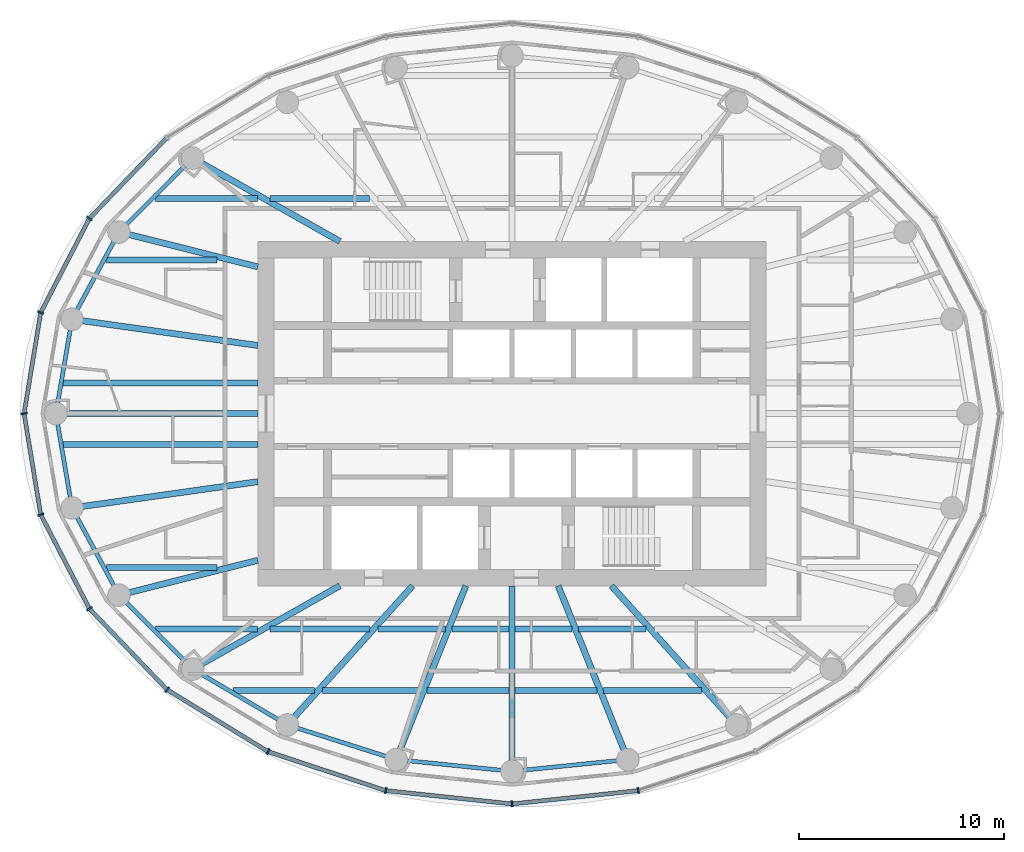
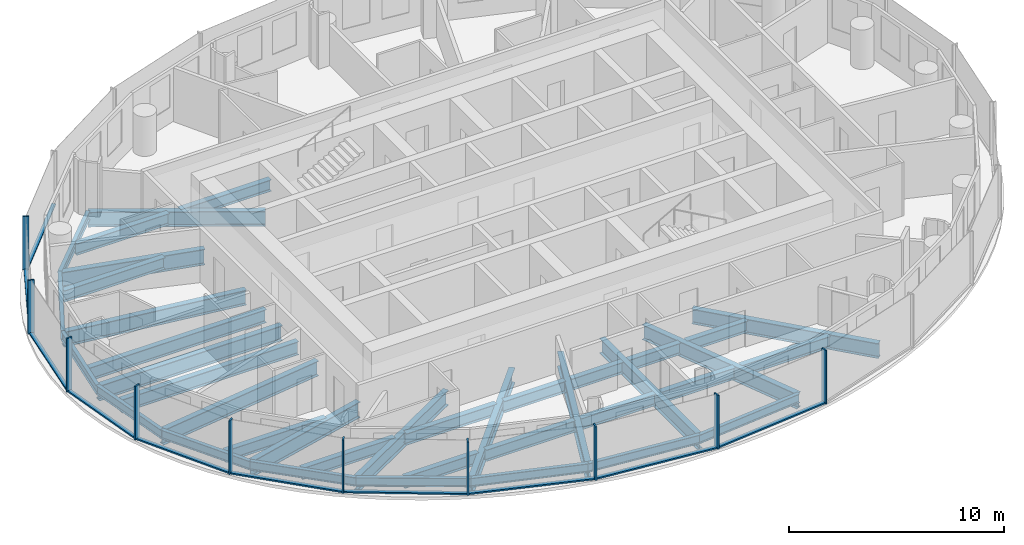
# One storey, part 2 of 14: 39 beams, 20 members, 3 elements without a shape of their own.
"""IFC4 building model written with IfcOpenShell, lengths in metres."""

from ifc_helpers import new_model, si_unit, direction, frame, origin, origin_2d, place, context, subcontext, project, spatial, rectangle, i_section, extrude, material, material_profile, profile_set, type_object, element, aggregate, save


model = new_model("IFC4")

# Units and contexts
model_context = context("Model", 3, precision=1e-05, world=origin(), true_north=direction((0.0, 1.0)))
body_context = subcontext(model_context, "Body", "Model", "MODEL_VIEW")
ifc_project = project(units=[si_unit("LENGTHUNIT", "METRE"), si_unit("AREAUNIT", "SQUARE_METRE"), si_unit("VOLUMEUNIT", "CUBIC_METRE"), si_unit("PLANEANGLEUNIT", "RADIAN"), si_unit("MASSUNIT", "GRAM", prefix="KILO")], contexts=[model_context])

# Site, building, storey
site_placement = place(None, origin())
site = spatial("IfcSite", under=ifc_project, at=site_placement, CompositionType="ELEMENT")
building_placement = place(site_placement, origin())
building = spatial("IfcBuilding", under=site, at=building_placement, Name="Hankou Lantern Tower", CompositionType="ELEMENT")
storey_placement = place(building_placement, frame((0.0, 0.0, 183.0)))
storey = spatial("IfcBuildingStorey", under=building, at=storey_placement, Name="L49", CompositionType="ELEMENT", Elevation=183.0)

# Beams
ifc_material_1 = material(Name="Steel Q355B", Category="steel")
ifc_material_profile_1 = material_profile(ifc_material_1, i_section(OverallWidth=0.199951171875, OverallDepth=0.5, WebThickness=0.010009765625, FlangeThickness=0.01611328125, FilletRadius=0.012939453125, at=origin_2d()), Name="HN500x200x10x16")
ifc_profile_set_1 = profile_set([ifc_material_profile_1], Name="Steel Q355B")
beam_type_1 = type_object("IfcBeamType", Name="EB5 RING BEAM HN500x200x10x16", PredefinedType="SPANDREL", material=ifc_profile_set_1)
beam_1_placement = place(storey_placement, frame((-15.576171875, 12.4609375, -0.429931640625), z_axis=(-0.706147278092, -0.708064984054, 0.0), x_axis=(0.708064984054, -0.706147278092, 0.0)))
element("IfcBeam", 1, at=beam_1_placement, inside=storey, type_object=beam_type_1, Name="Ring beam R10-R11 L49", PredefinedType="SPANDREL", context=body_context, shape_type="SweptSolid", body=[
    extrude(i_section(OverallWidth=0.199951171875, OverallDepth=0.5, WebThickness=0.010009765625, FlangeThickness=0.01611328125, FilletRadius=0.012939453125, at=origin_2d()), origin(), (0.0, 0.0, 1.0), 5.09228515625),
])
beam_2_placement = place(storey_placement, frame((-19.172119140625, 8.855224609375, -0.429931640625), z_axis=(-0.474051612334, -0.880497057828, 0.0), x_axis=(0.880497057828, -0.474051612334, 0.0)))
element("IfcBeam", 2, at=beam_2_placement, inside=storey, type_object=beam_type_1, Name="Ring beam R11-R12 L49", PredefinedType="SPANDREL", context=body_context, shape_type="SweptSolid", body=[
    extrude(i_section(OverallWidth=0.199951171875, OverallDepth=0.5, WebThickness=0.010009765625, FlangeThickness=0.01611328125, FilletRadius=0.012939453125, at=origin_2d()), origin(), (0.0, 0.0, 1.0), 4.831787109375),
])
for number, where, z_axis, x_axis, name in (
    (3, (-21.462646484375, 4.600830078125, -0.429931640625), (-0.168680718946, -0.985670743735, 0.0), (0.985670743735, -0.168680718946, 0.0), "Ring beam R12-R13 L49"),
    (4, (-22.25, 0.0, -0.429931640625), (0.168680718946, -0.985670743735, 0.0), (0.985670743735, 0.168680718946, 0.0), "Ring beam R13-R14 L49"),
):
    element("IfcBeam", number, at=place(storey_placement, frame(where, z_axis=z_axis, x_axis=x_axis)), inside=storey, type_object=beam_type_1, Name=name, PredefinedType="SPANDREL", context=body_context, shape_type="SweptSolid", body=[
        extrude(i_section(OverallWidth=0.199951171875, OverallDepth=0.5, WebThickness=0.010009765625, FlangeThickness=0.01611328125, FilletRadius=0.012939453125, at=origin_2d()), origin(), (0.0, 0.0, 1.0), 4.667724609375),
    ])
beam_3_placement = place(storey_placement, frame((-21.462646484375, -4.600830078125, -0.429931640625), z_axis=(0.474051612334, -0.880497057828, 0.0), x_axis=(0.880497057828, 0.474051612334, 0.0)))
element("IfcBeam", 5, at=beam_3_placement, inside=storey, type_object=beam_type_1, Name="Ring beam R14-R15 L49", PredefinedType="SPANDREL", context=body_context, shape_type="SweptSolid", body=[
    extrude(i_section(OverallWidth=0.199951171875, OverallDepth=0.5, WebThickness=0.010009765625, FlangeThickness=0.01611328125, FilletRadius=0.012939453125, at=origin_2d()), origin(), (0.0, 0.0, 1.0), 4.831787109375),
])
beam_4_placement = place(storey_placement, frame((-19.172119140625, -8.855224609375, -0.429931640625), z_axis=(0.706147278092, -0.708064984054, 0.0), x_axis=(0.708064984054, 0.706147278092, 0.0)))
element("IfcBeam", 6, at=beam_4_placement, inside=storey, type_object=beam_type_1, Name="Ring beam R15-R16 L49", PredefinedType="SPANDREL", context=body_context, shape_type="SweptSolid", body=[
    extrude(i_section(OverallWidth=0.199951171875, OverallDepth=0.5, WebThickness=0.010009765625, FlangeThickness=0.01611328125, FilletRadius=0.012939453125, at=origin_2d()), origin(), (0.0, 0.0, 1.0), 5.09228515625),
])
beam_5_placement = place(storey_placement, frame((-15.576171875, -12.4609375, -0.429931640625), z_axis=(0.861135888339, -0.508374843806, 0.0), x_axis=(0.508374843806, 0.861135888339, 0.0)))
element("IfcBeam", 7, at=beam_5_placement, inside=storey, type_object=beam_type_1, Name="Ring beam R16-R17 L49", PredefinedType="SPANDREL", context=body_context, shape_type="SweptSolid", body=[
    extrude(i_section(OverallWidth=0.199951171875, OverallDepth=0.5, WebThickness=0.010009765625, FlangeThickness=0.01611328125, FilletRadius=0.012939453125, at=origin_2d()), origin(), (0.0, 0.0, 1.0), 5.36083984375),
])
beam_6_placement = place(storey_placement, frame((-10.959716796875, -15.186279296875, -0.429931640625), z_axis=(0.952790404271, -0.30362879562, 0.0), x_axis=(0.30362879562, 0.952790404271, 0.0)))
element("IfcBeam", 8, at=beam_6_placement, inside=storey, type_object=beam_type_1, Name="Ring beam R17-R18 L49", PredefinedType="SPANDREL", context=body_context, shape_type="SweptSolid", body=[
    extrude(i_section(OverallWidth=0.199951171875, OverallDepth=0.5, WebThickness=0.010009765625, FlangeThickness=0.01611328125, FilletRadius=0.012939453125, at=origin_2d()), origin(), (0.0, 0.0, 1.0), 5.56982421875),
])
for number, where, z_axis, x_axis, name in (
    (9, (-5.65283203125, -16.87744140625, -0.429931640625), (0.9949104636, -0.100762936734, 0.0), (0.100762936734, 0.9949104636, 0.0), "Ring beam R18-R19 L49"),
    (10, (0.0, -17.449951171875, -0.429931640625), (0.9949104636, 0.100762936734, 0.0), (-0.100762936734, 0.9949104636, 0.0), "Ring beam R19-R20 L49"),
):
    element("IfcBeam", number, at=place(storey_placement, frame(where, z_axis=z_axis, x_axis=x_axis)), inside=storey, type_object=beam_type_1, Name=name, PredefinedType="SPANDREL", context=body_context, shape_type="SweptSolid", body=[
        extrude(i_section(OverallWidth=0.199951171875, OverallDepth=0.5, WebThickness=0.010009765625, FlangeThickness=0.01611328125, FilletRadius=0.012939453125, at=origin_2d()), origin(), (0.0, 0.0, 1.0), 5.681640625),
    ])

# Curtain wall, members
ifc_material_2 = material(Name="Glass, dark grey tinted laminated", Category="glass")
curtain_wall_type = type_object("IfcCurtainWallType", Name="CWC OUTER SKIN HIGH-RISE", PredefinedType="USERDEFINED", material=ifc_material_2)
curtain_wall_1_placement = place(storey_placement, origin())
curtain_wall_1 = element("IfcCurtainWall", 11, at=curtain_wall_1_placement, inside=storey, type_object=curtain_wall_type, Name="CWC L49 OS2", ObjectType="OUTER SKIN HIGH-RISE", PredefinedType="USERDEFINED")
ifc_material_3 = material(Name="Aluminium, black anodised", Category="aluminium")
ifc_material_profile_2 = material_profile(ifc_material_3, rectangle(XDim=0.080078125, YDim=0.300048828125, at=origin_2d()), Name="MU1 80X300")
ifc_profile_set_2 = profile_set([ifc_material_profile_2], Name="Aluminium, black anodised")
member_type_1 = type_object("IfcMemberType", Name="MU1 OUTER SKIN MULLION 80X300", PredefinedType="MULLION", material=ifc_profile_set_2)
member_1_placement = place(storey_placement, frame((-20.611328125, 9.52001953125, 0.0), z_axis=(0.0, 0.0, 1.0), x_axis=(-0.585205735974, -0.810884854084, 0.0)))
member_1 = element("IfcMember", 12, at=member_1_placement, type_object=member_type_1, Name="CWC mullion 5", PredefinedType="MULLION", context=body_context, shape_type="SweptSolid", body=[
    extrude(rectangle(XDim=0.080078125, YDim=0.300048828125, at=origin_2d()), origin(), (0.0, 0.0, 1.0), 3.050048828125),
])
member_2_placement = place(storey_placement, frame((-22.989013671875, 4.927978515625, 0.0), z_axis=(0.0, 0.0, 1.0), x_axis=(-0.317595577365, -0.94822626479, 0.0)))
member_2 = element("IfcMember", 13, at=member_2_placement, type_object=member_type_1, Name="CWC mullion 6", PredefinedType="MULLION", context=body_context, shape_type="SweptSolid", body=[
    extrude(rectangle(XDim=0.080078125, YDim=0.300048828125, at=origin_2d()), origin(), (0.0, 0.0, 1.0), 3.050048828125),
])

curtain_wall_2_placement = place(storey_placement, origin())
curtain_wall_2 = element("IfcCurtainWall", 14, at=curtain_wall_2_placement, inside=storey, type_object=curtain_wall_type, Name="CWC L49 OS3", ObjectType="OUTER SKIN HIGH-RISE", PredefinedType="USERDEFINED")
member_3_placement = place(storey_placement, frame((-23.800048828125, 0.0, 0.0), z_axis=(0.0, 0.0, 1.0), x_axis=(0.162381515188, -0.986728049427, 0.0)))
member_3 = element("IfcMember", 15, at=member_3_placement, type_object=member_type_1, Name="CWC mullion 1", PredefinedType="MULLION", context=body_context, shape_type="SweptSolid", body=[
    extrude(rectangle(XDim=0.080078125, YDim=0.300048828125, at=origin_2d()), origin(), (0.0, 0.0, 1.0), 3.050048828125),
])
member_4_placement = place(storey_placement, frame((-22.989013671875, -4.927978515625, 0.0), z_axis=(0.0, 0.0, 1.0), x_axis=(0.317595577365, -0.94822626479, 0.0)))
member_4 = element("IfcMember", 16, at=member_4_placement, type_object=member_type_1, Name="CWC mullion 2", PredefinedType="MULLION", context=body_context, shape_type="SweptSolid", body=[
    extrude(rectangle(XDim=0.080078125, YDim=0.300048828125, at=origin_2d()), origin(), (0.0, 0.0, 1.0), 3.050048828125),
])
member_5_placement = place(storey_placement, frame((-20.611328125, -9.52001953125, 0.0), z_axis=(0.0, 0.0, 1.0), x_axis=(0.585205735974, -0.810884854084, 0.0)))
member_5 = element("IfcMember", 17, at=member_5_placement, type_object=member_type_1, Name="CWC mullion 3", PredefinedType="MULLION", context=body_context, shape_type="SweptSolid", body=[
    extrude(rectangle(XDim=0.080078125, YDim=0.300048828125, at=origin_2d()), origin(), (0.0, 0.0, 1.0), 3.050048828125),
])
member_6_placement = place(storey_placement, frame((-16.8291015625, -13.46337890625, 0.0), z_axis=(0.0, 0.0, 1.0), x_axis=(0.780868809444, -0.624695047553, 0.0)))
member_6 = element("IfcMember", 18, at=member_6_placement, type_object=member_type_1, Name="CWC mullion 4", PredefinedType="MULLION", context=body_context, shape_type="SweptSolid", body=[
    extrude(rectangle(XDim=0.080078125, YDim=0.300048828125, at=origin_2d()), origin(), (0.0, 0.0, 1.0), 3.050048828125),
])
member_7_placement = place(storey_placement, frame((-11.89990234375, -16.489013671875, 0.0), z_axis=(0.0, 0.0, 1.0), x_axis=(0.907841299004, -0.419313934686, 0.0)))
member_7 = element("IfcMember", 19, at=member_7_placement, type_object=member_type_1, Name="CWC mullion 5", PredefinedType="MULLION", context=body_context, shape_type="SweptSolid", body=[
    extrude(rectangle(XDim=0.080078125, YDim=0.300048828125, at=origin_2d()), origin(), (0.0, 0.0, 1.0), 3.050048828125),
])
member_8_placement = place(storey_placement, frame((-6.159912109375, -18.39111328125, 0.0), z_axis=(0.0, 0.0, 1.0), x_axis=(0.977787659625, -0.209597931016, 0.0)))
member_8 = element("IfcMember", 20, at=member_8_placement, type_object=member_type_1, Name="CWC mullion 6", PredefinedType="MULLION", context=body_context, shape_type="SweptSolid", body=[
    extrude(rectangle(XDim=0.080078125, YDim=0.300048828125, at=origin_2d()), origin(), (0.0, 0.0, 1.0), 3.050048828125),
])

curtain_wall_3_placement = place(storey_placement, origin())
curtain_wall_3 = element("IfcCurtainWall", 21, at=curtain_wall_3_placement, inside=storey, type_object=curtain_wall_type, Name="CWC L49 OS4", ObjectType="OUTER SKIN HIGH-RISE", PredefinedType="USERDEFINED")
member_9_placement = place(storey_placement, frame((0.0, -19.0400390625, 0.0), z_axis=(0.0, 0.0, 1.0), x_axis=(0.994499359107, 0.104742659579, 0.0)))
member_9 = element("IfcMember", 22, at=member_9_placement, type_object=member_type_1, Name="CWC mullion 1", PredefinedType="MULLION", context=body_context, shape_type="SweptSolid", body=[
    extrude(rectangle(XDim=0.080078125, YDim=0.300048828125, at=origin_2d()), origin(), (0.0, 0.0, 1.0), 3.050048828125),
])
member_10_placement = place(storey_placement, frame((6.159912109375, -18.39111328125, 0.0), z_axis=(0.0, 0.0, 1.0), x_axis=(0.977787659625, 0.209597931016, 0.0)))
member_10 = element("IfcMember", 23, at=member_10_placement, type_object=member_type_1, Name="CWC mullion 2", PredefinedType="MULLION", context=body_context, shape_type="SweptSolid", body=[
    extrude(rectangle(XDim=0.080078125, YDim=0.300048828125, at=origin_2d()), origin(), (0.0, 0.0, 1.0), 3.050048828125),
])

# Beams
ifc_material_4 = material(Name="Steel Q355B", Category="steel")
ifc_material_profile_3 = material_profile(ifc_material_4, i_section(OverallWidth=0.300048828125, OverallDepth=0.85009765625, WebThickness=0.01611328125, FlangeThickness=0.027099609375, FilletRadius=0.01806640625, at=origin_2d()), Name="HN850x300x16x27")
ifc_profile_set_3 = profile_set([ifc_material_profile_3], Name="Steel Q355B")
beam_type_2 = type_object("IfcBeamType", Name="RB12 RADIAL BEAM HN850x300x16x27", PredefinedType="BEAM", material=ifc_profile_set_3)
beam_7_placement = place(storey_placement, frame((-8.39990234375, 8.39990234375, -0.60498046875), z_axis=(-0.870309058024, 0.492505983234, 0.0), x_axis=(-0.492505983234, -0.870309058024, 0.0)))
element("IfcBeam", 24, at=beam_7_placement, inside=storey, type_object=beam_type_2, Name="Radial beam R10 L49", PredefinedType="BEAM", context=body_context, shape_type="SweptSolid", body=[
    extrude(i_section(OverallWidth=0.300048828125, OverallDepth=0.85009765625, WebThickness=0.01611328125, FlangeThickness=0.027099609375, FilletRadius=0.01806640625, at=origin_2d()), origin(), (0.0, 0.0, 1.0), 8.24560546875),
])
beam_8_placement = place(storey_placement, frame((-12.39990234375, 3.322509765625, -0.60498046875), z_axis=(-0.990198154617, 0.13966966239, 0.0), x_axis=(-0.13966966239, -0.990198154617, 0.0)))
element("IfcBeam", 25, at=beam_8_placement, inside=storey, type_object=beam_type_2, Name="Radial beam R12 L49", PredefinedType="BEAM", context=body_context, shape_type="SweptSolid", body=[
    extrude(i_section(OverallWidth=0.300048828125, OverallDepth=0.85009765625, WebThickness=0.01611328125, FlangeThickness=0.027099609375, FilletRadius=0.01806640625, at=origin_2d()), origin(), (0.0, 0.0, 1.0), 9.15234375),
])
beam_9_placement = place(storey_placement, frame((-12.39990234375, 0.0, -0.60498046875), z_axis=(-1.0, 0.0, 0.0), x_axis=(0.0, -1.0, 0.0)))
element("IfcBeam", 26, at=beam_9_placement, inside=storey, type_object=beam_type_2, Name="Radial beam R13 L49", PredefinedType="BEAM", context=body_context, shape_type="SweptSolid", body=[
    extrude(i_section(OverallWidth=0.300048828125, OverallDepth=0.85009765625, WebThickness=0.01611328125, FlangeThickness=0.027099609375, FilletRadius=0.01806640625, at=origin_2d()), origin(), (0.0, 0.0, 1.0), 9.85009765625),
])
beam_10_placement = place(storey_placement, frame((-12.39990234375, -3.322509765625, -0.60498046875), z_axis=(-0.990198154617, -0.13966966239, 0.0), x_axis=(0.13966966239, -0.990198154617, 0.0)))
element("IfcBeam", 27, at=beam_10_placement, inside=storey, type_object=beam_type_2, Name="Radial beam R14 L49", PredefinedType="BEAM", context=body_context, shape_type="SweptSolid", body=[
    extrude(i_section(OverallWidth=0.300048828125, OverallDepth=0.85009765625, WebThickness=0.01611328125, FlangeThickness=0.027099609375, FilletRadius=0.01806640625, at=origin_2d()), origin(), (0.0, 0.0, 1.0), 9.15234375),
])
beam_11_placement = place(storey_placement, frame((-8.39990234375, -8.39990234375, -0.60498046875), z_axis=(-0.870309058024, -0.492505983234, 0.0), x_axis=(0.492505983234, -0.870309058024, 0.0)))
element("IfcBeam", 28, at=beam_11_placement, inside=storey, type_object=beam_type_2, Name="Radial beam R16 L49", PredefinedType="BEAM", context=body_context, shape_type="SweptSolid", body=[
    extrude(i_section(OverallWidth=0.300048828125, OverallDepth=0.85009765625, WebThickness=0.01611328125, FlangeThickness=0.027099609375, FilletRadius=0.01806640625, at=origin_2d()), origin(), (0.0, 0.0, 1.0), 8.24560546875),
])
beam_12_placement = place(storey_placement, frame((-4.849853515625, -8.39990234375, -0.60498046875), z_axis=(-0.669093231314, -0.743178476418, 0.0), x_axis=(0.743178476418, -0.669093231314, 0.0)))
element("IfcBeam", 29, at=beam_12_placement, inside=storey, type_object=beam_type_2, Name="Radial beam R17 L49", PredefinedType="BEAM", context=body_context, shape_type="SweptSolid", body=[
    extrude(i_section(OverallWidth=0.300048828125, OverallDepth=0.85009765625, WebThickness=0.01611328125, FlangeThickness=0.027099609375, FilletRadius=0.01806640625, at=origin_2d()), origin(), (0.0, 0.0, 1.0), 9.131591796875),
])
beam_13_placement = place(storey_placement, frame((-2.250732421875, -8.39990234375, -0.60498046875), z_axis=(-0.372436468133, -0.928057690666, 0.0), x_axis=(0.928057690666, -0.372436468133, 0.0)))
element("IfcBeam", 30, at=beam_13_placement, inside=storey, type_object=beam_type_2, Name="Radial beam R18 L49", PredefinedType="BEAM", context=body_context, shape_type="SweptSolid", body=[
    extrude(i_section(OverallWidth=0.300048828125, OverallDepth=0.85009765625, WebThickness=0.01611328125, FlangeThickness=0.027099609375, FilletRadius=0.01806640625, at=origin_2d()), origin(), (0.0, 0.0, 1.0), 9.134765625),
])
beam_14_placement = place(storey_placement, frame((0.0, -8.39990234375, -0.60498046875), z_axis=(0.0, -1.0, 0.0), x_axis=(1.0, 0.0, 0.0)))
element("IfcBeam", 31, at=beam_14_placement, inside=storey, type_object=beam_type_2, Name="Radial beam R19 L49", PredefinedType="BEAM", context=body_context, shape_type="SweptSolid", body=[
    extrude(i_section(OverallWidth=0.300048828125, OverallDepth=0.85009765625, WebThickness=0.01611328125, FlangeThickness=0.027099609375, FilletRadius=0.01806640625, at=origin_2d()), origin(), (0.0, 0.0, 1.0), 9.050048828125),
])
beam_15_placement = place(storey_placement, frame((2.250732421875, -8.39990234375, -0.60498046875), z_axis=(0.372436468133, -0.928057690666, 0.0), x_axis=(0.928057690666, 0.372436468133, 0.0)))
element("IfcBeam", 32, at=beam_15_placement, inside=storey, type_object=beam_type_2, Name="Radial beam R20 L49", PredefinedType="BEAM", context=body_context, shape_type="SweptSolid", body=[
    extrude(i_section(OverallWidth=0.300048828125, OverallDepth=0.85009765625, WebThickness=0.01611328125, FlangeThickness=0.027099609375, FilletRadius=0.01806640625, at=origin_2d()), origin(), (0.0, 0.0, 1.0), 9.134765625),
])
beam_16_placement = place(storey_placement, frame((4.849853515625, -8.39990234375, -0.60498046875), z_axis=(0.669093231314, -0.743178476418, 0.0), x_axis=(0.743178476418, 0.669093231314, 0.0)))
element("IfcBeam", 33, at=beam_16_placement, inside=storey, type_object=beam_type_2, Name="Radial beam R21 L49", PredefinedType="BEAM", context=body_context, shape_type="SweptSolid", body=[
    extrude(i_section(OverallWidth=0.300048828125, OverallDepth=0.85009765625, WebThickness=0.01611328125, FlangeThickness=0.027099609375, FilletRadius=0.01806640625, at=origin_2d()), origin(), (0.0, 0.0, 1.0), 9.131591796875),
])
ifc_material_5 = material(Name="Steel Q355B", Category="steel")
ifc_material_profile_4 = material_profile(ifc_material_5, i_section(OverallWidth=0.300048828125, OverallDepth=0.89990234375, WebThickness=0.01611328125, FlangeThickness=0.028076171875, FilletRadius=0.01806640625, at=origin_2d()), Name="HN900x300x16x28")
ifc_profile_set_4 = profile_set([ifc_material_profile_4], Name="Steel Q355B")
beam_type_3 = type_object("IfcBeamType", Name="RB13 RADIAL BEAM HN900x300x16x28", PredefinedType="BEAM", material=ifc_profile_set_4)
for number, where, z_axis, x_axis, name in (
    (34, (-12.39990234375, 7.1591796875, -0.6298828125), (-0.970041619568, 0.242938791274, 0.0), (-0.242938791274, -0.970041619568, 0.0), "Radial beam R11 L49"),
    (35, (-12.39990234375, -7.1591796875, -0.6298828125), (-0.970041619568, -0.242938791274, 0.0), (0.242938791274, -0.970041619568, 0.0), "Radial beam R15 L49"),
):
    element("IfcBeam", number, at=place(storey_placement, frame(where, z_axis=z_axis, x_axis=x_axis)), inside=storey, type_object=beam_type_3, Name=name, PredefinedType="BEAM", context=body_context, shape_type="SweptSolid", body=[
        extrude(i_section(OverallWidth=0.300048828125, OverallDepth=0.89990234375, WebThickness=0.01611328125, FlangeThickness=0.028076171875, FilletRadius=0.01806640625, at=origin_2d()), origin(), (0.0, 0.0, 1.0), 6.9814453125),
    ])
ifc_material_6 = material(Name="Steel Q355B", Category="steel")
ifc_material_profile_5 = material_profile(ifc_material_6, i_section(OverallWidth=0.300048828125, OverallDepth=0.75, WebThickness=0.012939453125, FlangeThickness=0.02392578125, FilletRadius=0.01806640625, at=origin_2d()), Name="HN750x300x13x24")
ifc_profile_set_5 = profile_set([ifc_material_profile_5], Name="Steel Q355B")
beam_type_4 = type_object("IfcBeamType", Name="SB10 SECONDARY BEAM HN750x300x13x24", PredefinedType="JOIST", material=ifc_profile_set_5)
for number, where, z_axis, x_axis, name in (
    (36, (-21.891845703125, -1.5, -0.554931640625), (1.0, 0.0, 0.0), (0.0, 1.0, 0.0), "Floor joist J019 L49"),
    (37, (-21.891845703125, 1.5, -0.554931640625), (1.0, 0.0, 0.0), (0.0, 1.0, 0.0), "Floor joist J021 L49"),
):
    element("IfcBeam", number, at=place(storey_placement, frame(where, z_axis=z_axis, x_axis=x_axis)), inside=storey, type_object=beam_type_4, Name=name, PredefinedType="JOIST", context=body_context, shape_type="SweptSolid", body=[
        extrude(i_section(OverallWidth=0.300048828125, OverallDepth=0.75, WebThickness=0.012939453125, FlangeThickness=0.02392578125, FilletRadius=0.01806640625, at=origin_2d()), origin(), (0.0, 0.0, 1.0), 9.491943359375),
    ])
ifc_material_7 = material(Name="Steel Q355B", Category="steel")
ifc_material_profile_6 = material_profile(ifc_material_7, i_section(OverallWidth=0.300048828125, OverallDepth=0.64990234375, WebThickness=0.010986328125, FlangeThickness=0.01708984375, FilletRadius=0.01806640625, at=origin_2d()), Name="HN650x300x11x17")
ifc_profile_set_6 = profile_set([ifc_material_profile_6], Name="Steel Q355B")
beam_type_5 = type_object("IfcBeamType", Name="SB8 SECONDARY BEAM HN650x300x11x17", PredefinedType="JOIST", material=ifc_profile_set_6)
beam_17_placement = place(storey_placement, frame((-13.619384765625, -13.5, -0.5048828125), z_axis=(1.0, 0.0, 0.0), x_axis=(0.0, 1.0, 0.0)))
element("IfcBeam", 38, at=beam_17_placement, inside=storey, type_object=beam_type_5, Name="Floor joist J001 L49", PredefinedType="JOIST", context=body_context, shape_type="SweptSolid", body=[
    extrude(i_section(OverallWidth=0.300048828125, OverallDepth=0.64990234375, WebThickness=0.010986328125, FlangeThickness=0.01708984375, FilletRadius=0.01806640625, at=origin_2d()), origin(), (0.0, 0.0, 1.0), 3.97607421875),
])
beam_18_placement = place(storey_placement, frame((-9.23974609375, -13.5, -0.5048828125), z_axis=(1.0, 0.0, 0.0), x_axis=(0.0, 1.0, 0.0)))
element("IfcBeam", 39, at=beam_18_placement, inside=storey, type_object=beam_type_5, Name="Floor joist J002 L49", PredefinedType="JOIST", context=body_context, shape_type="SweptSolid", body=[
    extrude(i_section(OverallWidth=0.300048828125, OverallDepth=0.64990234375, WebThickness=0.010986328125, FlangeThickness=0.01708984375, FilletRadius=0.01806640625, at=origin_2d()), origin(), (0.0, 0.0, 1.0), 4.780517578125),
])
for number, where, z_axis, x_axis, name in (
    (40, (-4.135986328125, -13.5, -0.5048828125), (1.0, 0.0, 0.0), (0.0, 1.0, 0.0), "Floor joist J003 L49"),
    (41, (0.14990234375, -13.5, -0.5048828125), (1.0, 0.0, 0.0), (0.0, 1.0, 0.0), "Floor joist J004 L49"),
):
    element("IfcBeam", number, at=place(storey_placement, frame(where, z_axis=z_axis, x_axis=x_axis)), inside=storey, type_object=beam_type_5, Name=name, PredefinedType="JOIST", context=body_context, shape_type="SweptSolid", body=[
        extrude(i_section(OverallWidth=0.300048828125, OverallDepth=0.64990234375, WebThickness=0.010986328125, FlangeThickness=0.01708984375, FilletRadius=0.01806640625, at=origin_2d()), origin(), (0.0, 0.0, 1.0), 3.986083984375),
    ])
beam_19_placement = place(storey_placement, frame((4.459228515625, -13.5, -0.5048828125), z_axis=(1.0, 0.0, 0.0), x_axis=(0.0, 1.0, 0.0)))
element("IfcBeam", 42, at=beam_19_placement, inside=storey, type_object=beam_type_5, Name="Floor joist J005 L49", PredefinedType="JOIST", context=body_context, shape_type="SweptSolid", body=[
    extrude(i_section(OverallWidth=0.300048828125, OverallDepth=0.64990234375, WebThickness=0.010986328125, FlangeThickness=0.01708984375, FilletRadius=0.01806640625, at=origin_2d()), origin(), (0.0, 0.0, 1.0), 4.780517578125),
])
beam_20_placement = place(storey_placement, frame((-17.390625, -10.5, -0.5048828125), z_axis=(1.0, 0.0, 0.0), x_axis=(0.0, 1.0, 0.0)))
element("IfcBeam", 43, at=beam_20_placement, inside=storey, type_object=beam_type_5, Name="Floor joist J007 L49", PredefinedType="JOIST", context=body_context, shape_type="SweptSolid", body=[
    extrude(i_section(OverallWidth=0.300048828125, OverallDepth=0.64990234375, WebThickness=0.010986328125, FlangeThickness=0.01708984375, FilletRadius=0.01806640625, at=origin_2d()), origin(), (0.0, 0.0, 1.0), 4.97509765625),
])
beam_21_placement = place(storey_placement, frame((-11.806396484375, -10.5, -0.5048828125), z_axis=(1.0, 0.0, 0.0), x_axis=(0.0, 1.0, 0.0)))
element("IfcBeam", 44, at=beam_21_placement, inside=storey, type_object=beam_type_5, Name="Floor joist J008 L49", PredefinedType="JOIST", context=body_context, shape_type="SweptSolid", body=[
    extrude(i_section(OverallWidth=0.300048828125, OverallDepth=0.64990234375, WebThickness=0.010986328125, FlangeThickness=0.01708984375, FilletRadius=0.01806640625, at=origin_2d()), origin(), (0.0, 0.0, 1.0), 4.864013671875),
])
beam_22_placement = place(storey_placement, frame((-6.53857421875, -10.5, -0.5048828125), z_axis=(1.0, 0.0, 0.0), x_axis=(0.0, 1.0, 0.0)))
element("IfcBeam", 45, at=beam_22_placement, inside=storey, type_object=beam_type_5, Name="Floor joist J009 L49", PredefinedType="JOIST", context=body_context, shape_type="SweptSolid", body=[
    extrude(i_section(OverallWidth=0.300048828125, OverallDepth=0.64990234375, WebThickness=0.010986328125, FlangeThickness=0.01708984375, FilletRadius=0.01806640625, at=origin_2d()), origin(), (0.0, 0.0, 1.0), 3.283447265625),
])
for number, where, z_axis, x_axis, name in (
    (46, (-2.931884765625, -10.5, -0.5048828125), (1.0, 0.0, 0.0), (0.0, 1.0, 0.0), "Floor joist J010 L49"),
    (47, (0.14990234375, -10.5, -0.5048828125), (1.0, 0.0, 0.0), (0.0, 1.0, 0.0), "Floor joist J011 L49"),
):
    element("IfcBeam", number, at=place(storey_placement, frame(where, z_axis=z_axis, x_axis=x_axis)), inside=storey, type_object=beam_type_5, Name=name, PredefinedType="JOIST", context=body_context, shape_type="SweptSolid", body=[
        extrude(i_section(OverallWidth=0.300048828125, OverallDepth=0.64990234375, WebThickness=0.010986328125, FlangeThickness=0.01708984375, FilletRadius=0.01806640625, at=origin_2d()), origin(), (0.0, 0.0, 1.0), 2.781982421875),
    ])
beam_23_placement = place(storey_placement, frame((3.255126953125, -10.5, -0.5048828125), z_axis=(1.0, 0.0, 0.0), x_axis=(0.0, 1.0, 0.0)))
element("IfcBeam", 48, at=beam_23_placement, inside=storey, type_object=beam_type_5, Name="Floor joist J012 L49", PredefinedType="JOIST", context=body_context, shape_type="SweptSolid", body=[
    extrude(i_section(OverallWidth=0.300048828125, OverallDepth=0.64990234375, WebThickness=0.010986328125, FlangeThickness=0.01708984375, FilletRadius=0.01806640625, at=origin_2d()), origin(), (0.0, 0.0, 1.0), 3.283447265625),
])
for number, where, z_axis, x_axis, name in (
    (49, (-19.788330078125, -7.5, -0.5048828125), (1.0, 0.0, 0.0), (0.0, 1.0, 0.0), "Floor joist J015 L49"),
    (50, (-19.788330078125, 7.5, -0.5048828125), (1.0, 0.0, 0.0), (0.0, 1.0, 0.0), "Floor joist J025 L49"),
):
    element("IfcBeam", number, at=place(storey_placement, frame(where, z_axis=z_axis, x_axis=x_axis)), inside=storey, type_object=beam_type_5, Name=name, PredefinedType="JOIST", context=body_context, shape_type="SweptSolid", body=[
        extrude(i_section(OverallWidth=0.300048828125, OverallDepth=0.64990234375, WebThickness=0.010986328125, FlangeThickness=0.01708984375, FilletRadius=0.01806640625, at=origin_2d()), origin(), (0.0, 0.0, 1.0), 5.409912109375),
    ])
beam_24_placement = place(storey_placement, frame((-17.390625, 10.5, -0.5048828125), z_axis=(1.0, 0.0, 0.0), x_axis=(0.0, 1.0, 0.0)))
element("IfcBeam", 51, at=beam_24_placement, inside=storey, type_object=beam_type_5, Name="Floor joist J027 L49", PredefinedType="JOIST", context=body_context, shape_type="SweptSolid", body=[
    extrude(i_section(OverallWidth=0.300048828125, OverallDepth=0.64990234375, WebThickness=0.010986328125, FlangeThickness=0.01708984375, FilletRadius=0.01806640625, at=origin_2d()), origin(), (0.0, 0.0, 1.0), 4.97509765625),
])
beam_25_placement = place(storey_placement, frame((-11.806396484375, 10.5, -0.5048828125), z_axis=(1.0, 0.0, 0.0), x_axis=(0.0, 1.0, 0.0)))
element("IfcBeam", 52, at=beam_25_placement, inside=storey, type_object=beam_type_5, Name="Floor joist J028 L49", PredefinedType="JOIST", context=body_context, shape_type="SweptSolid", body=[
    extrude(i_section(OverallWidth=0.300048828125, OverallDepth=0.64990234375, WebThickness=0.010986328125, FlangeThickness=0.01708984375, FilletRadius=0.01806640625, at=origin_2d()), origin(), (0.0, 0.0, 1.0), 4.864013671875),
])

# Member
ifc_material_8 = material(Name="Aluminium, black anodised", Category="aluminium")
ifc_material_profile_7 = material_profile(ifc_material_8, rectangle(XDim=0.199951171875, YDim=0.080078125, at=origin_2d()), Name="TR1 200X80")
ifc_profile_set_7 = profile_set([ifc_material_profile_7], Name="Aluminium, black anodised")
member_type_2 = type_object("IfcMemberType", Name="TR1 OUTER SKIN TRANSOM 200X80", PredefinedType="USERDEFINED", material=ifc_profile_set_7)
member_11_placement = place(storey_placement, frame((-16.85693359375, 13.434326171875, 0.0400390625), z_axis=(-0.692215543831, -0.721690820836, 0.0), x_axis=(0.721690820836, -0.692215543831, 0.0)))
member_11 = element("IfcMember", 53, at=member_11_placement, type_object=member_type_2, Name="CWC transom 4", ObjectType="TRANSOM", PredefinedType="USERDEFINED", context=body_context, shape_type="SweptSolid", body=[
    extrude(rectangle(XDim=0.199951171875, YDim=0.080078125, at=origin_2d()), origin(), (0.0, 0.0, 1.0), 5.3837890625),
])

member_12_placement = place(storey_placement, frame((-20.6298828125, 9.484375, 0.0400390625), z_axis=(-0.459790772977, -0.888027277219, 0.0), x_axis=(0.888027277219, -0.459790772977, 0.0)))
member_12 = element("IfcMember", 54, at=member_12_placement, type_object=member_type_2, Name="CWC transom 5", ObjectType="TRANSOM", PredefinedType="USERDEFINED", context=body_context, shape_type="SweptSolid", body=[
    extrude(rectangle(XDim=0.199951171875, YDim=0.080078125, at=origin_2d()), origin(), (0.0, 0.0, 1.0), 5.091064453125),
])

member_13_placement = place(storey_placement, frame((-22.99560546875, 4.888427734375, 0.0400390625), z_axis=(-0.162360337061, -0.986731534385, 0.0), x_axis=(0.986731534385, -0.162360337061, 0.0)))
member_13 = element("IfcMember", 55, at=member_13_placement, type_object=member_type_2, Name="CWC transom 6", ObjectType="TRANSOM", PredefinedType="USERDEFINED", context=body_context, shape_type="SweptSolid", body=[
    extrude(rectangle(XDim=0.199951171875, YDim=0.080078125, at=origin_2d()), origin(), (0.0, 0.0, 1.0), 4.9140625),
])

aggregate(curtain_wall_1, [member_1, member_2, member_11, member_12, member_13])

member_14_placement = place(storey_placement, frame((-23.79345703125, -0.03955078125, 0.0400390625), z_axis=(0.162360337061, -0.986731534385, 0.0), x_axis=(0.986731534385, 0.162360337061, 0.0)))
member_14 = element("IfcMember", 56, at=member_14_placement, type_object=member_type_2, Name="CWC transom 1", ObjectType="TRANSOM", PredefinedType="USERDEFINED", context=body_context, shape_type="SweptSolid", body=[
    extrude(rectangle(XDim=0.199951171875, YDim=0.080078125, at=origin_2d()), origin(), (0.0, 0.0, 1.0), 4.9140625),
])

member_15_placement = place(storey_placement, frame((-22.970703125, -4.96337890625, 0.0400390625), z_axis=(0.459790772977, -0.888027277219, 0.0), x_axis=(0.888027277219, 0.459790772977, 0.0)))
member_15 = element("IfcMember", 57, at=member_15_placement, type_object=member_type_2, Name="CWC transom 2", ObjectType="TRANSOM", PredefinedType="USERDEFINED", context=body_context, shape_type="SweptSolid", body=[
    extrude(rectangle(XDim=0.199951171875, YDim=0.080078125, at=origin_2d()), origin(), (0.0, 0.0, 1.0), 5.091064453125),
])

member_16_placement = place(storey_placement, frame((-20.583740234375, -9.548828125, 0.0400390625), z_axis=(0.692215543831, -0.721690820836, 0.0), x_axis=(0.721690820836, 0.692215543831, 0.0)))
member_16 = element("IfcMember", 58, at=member_16_placement, type_object=member_type_2, Name="CWC transom 3", ObjectType="TRANSOM", PredefinedType="USERDEFINED", context=body_context, shape_type="SweptSolid", body=[
    extrude(rectangle(XDim=0.199951171875, YDim=0.080078125, at=origin_2d()), origin(), (0.0, 0.0, 1.0), 5.3837890625),
])

member_17_placement = place(storey_placement, frame((-16.795166015625, -13.484130859375, 0.0400390625), z_axis=(0.852229482357, -0.523168146394, 0.0), x_axis=(0.523168146394, 0.852229482357, 0.0)))
member_17 = element("IfcMember", 59, at=member_17_placement, type_object=member_type_2, Name="CWC transom 4", ObjectType="TRANSOM", PredefinedType="USERDEFINED", context=body_context, shape_type="SweptSolid", body=[
    extrude(rectangle(XDim=0.199951171875, YDim=0.080078125, at=origin_2d()), origin(), (0.0, 0.0, 1.0), 5.703857421875),
])

member_18_placement = place(storey_placement, frame((-11.862060546875, -16.501708984375, 0.0400390625), z_axis=(0.949242327551, -0.314545709849, 0.0), x_axis=(0.314545709849, 0.949242327551, 0.0)))
member_18 = element("IfcMember", 60, at=member_18_placement, type_object=member_type_2, Name="CWC transom 5", ObjectType="TRANSOM", PredefinedType="USERDEFINED", context=body_context, shape_type="SweptSolid", body=[
    extrude(rectangle(XDim=0.199951171875, YDim=0.080078125, at=origin_2d()), origin(), (0.0, 0.0, 1.0), 5.96728515625),
])

member_19_placement = place(storey_placement, frame((-6.1201171875, -18.3955078125, 0.0400390625), z_axis=(0.994499543631, -0.104740907567, 0.0), x_axis=(0.104740907567, 0.994499543631, 0.0)))
member_19 = element("IfcMember", 61, at=member_19_placement, type_object=member_type_2, Name="CWC transom 6", ObjectType="TRANSOM", PredefinedType="USERDEFINED", context=body_context, shape_type="SweptSolid", body=[
    extrude(rectangle(XDim=0.199951171875, YDim=0.080078125, at=origin_2d()), origin(), (0.0, 0.0, 1.0), 6.114013671875),
])

aggregate(curtain_wall_2, [member_3, member_4, member_5, member_6, member_7, member_8, member_14, member_15, member_16, member_17, member_18, member_19])

member_20_placement = place(storey_placement, frame((0.039794921875, -19.035888671875, 0.0400390625), z_axis=(0.994499543631, 0.104740907567, 0.0), x_axis=(-0.104740907567, 0.994499543631, 0.0)))
member_20 = element("IfcMember", 62, at=member_20_placement, type_object=member_type_2, Name="CWC transom 1", ObjectType="TRANSOM", PredefinedType="USERDEFINED", context=body_context, shape_type="SweptSolid", body=[
    extrude(rectangle(XDim=0.199951171875, YDim=0.080078125, at=origin_2d()), origin(), (0.0, 0.0, 1.0), 6.114013671875),
])

aggregate(curtain_wall_3, [member_9, member_10, member_20])

save(model, "model.ifc")
